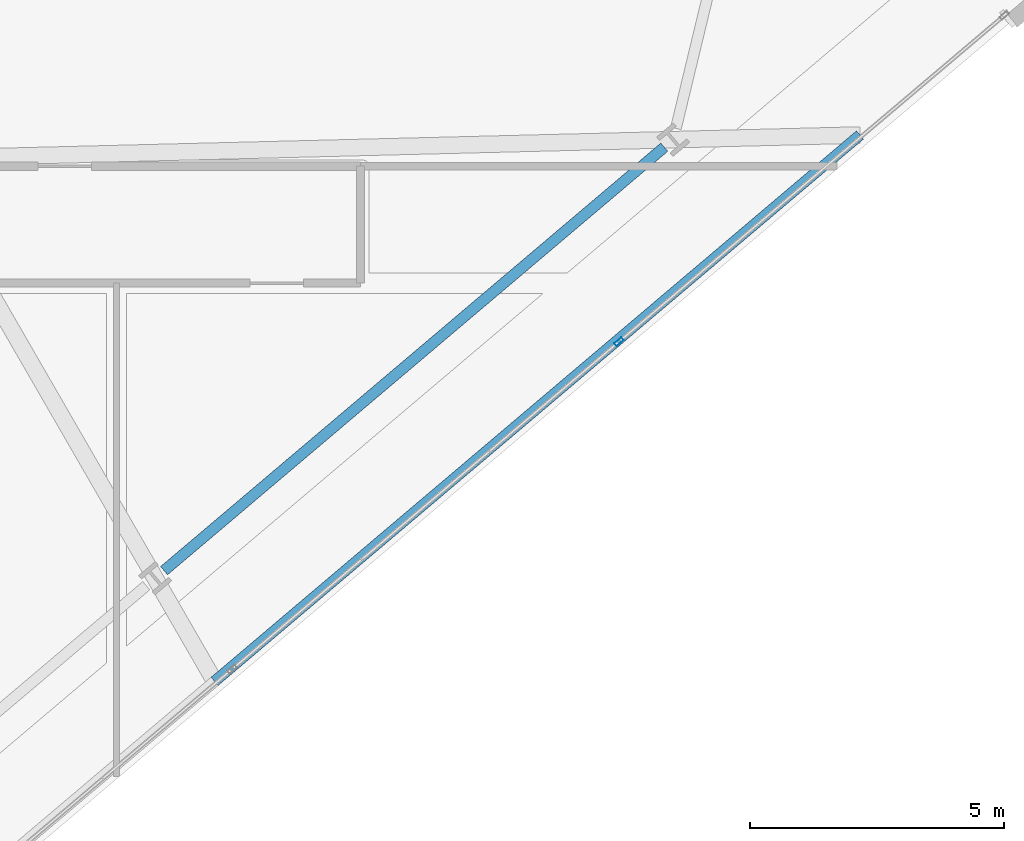
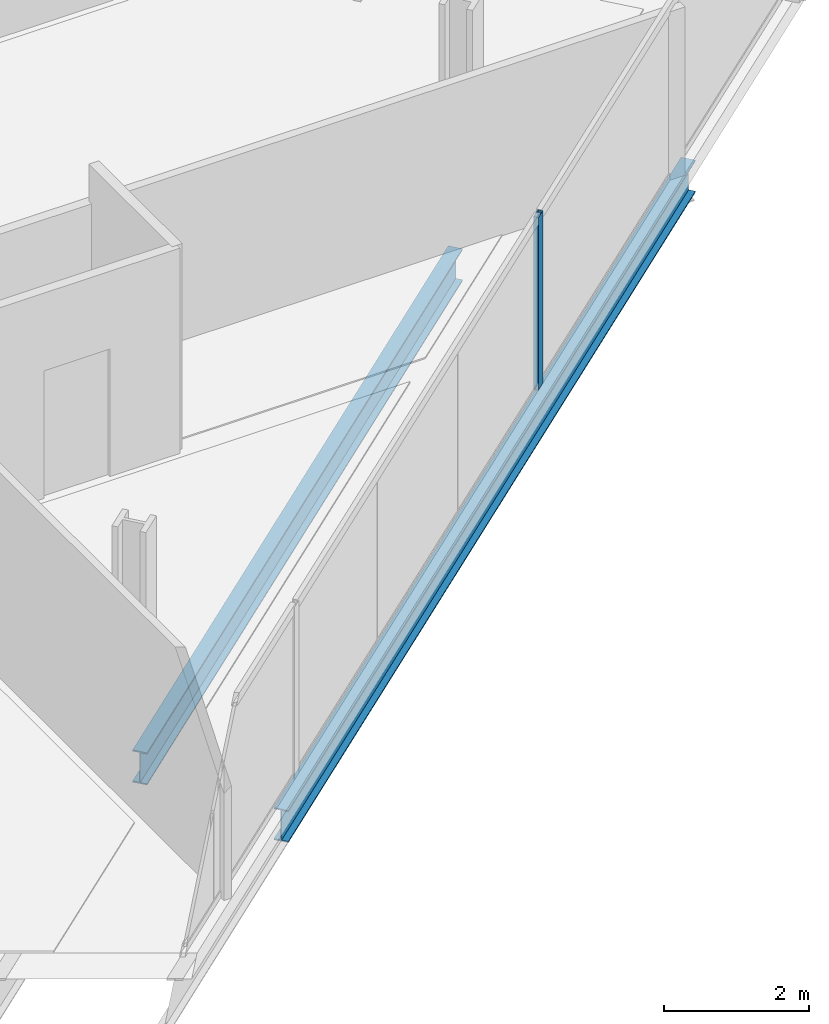
# One storey, part 11 of 34: 2 beams, 1 member, 1 element without a shape of its own.
"""IFC4 building model written with IfcOpenShell, lengths in metres."""

from ifc_helpers import new_model, si_unit, direction, frame, origin, origin_2d, place, context, subcontext, project, spatial, hollow_rectangle, i_section, extrude, material, material_profile, profile_set, type_object, element, aggregate, save


model = new_model("IFC4")

# Units and contexts
model_context = context("Model", 3, precision=1e-05, world=origin(), true_north=direction((0.0, 1.0)))
body_context = subcontext(model_context, "Body", "Model", "MODEL_VIEW")
ifc_project = project(units=[si_unit("LENGTHUNIT", "METRE"), si_unit("AREAUNIT", "SQUARE_METRE"), si_unit("VOLUMEUNIT", "CUBIC_METRE"), si_unit("PLANEANGLEUNIT", "RADIAN"), si_unit("MASSUNIT", "GRAM", prefix="KILO")], contexts=[model_context])

# Site, building, storey
site_placement = place(None, origin())
site = spatial("IfcSite", under=ifc_project, at=site_placement, CompositionType="ELEMENT")
building_placement = place(site_placement, origin())
building = spatial("IfcBuilding", under=site, at=building_placement, Name="Haldenkirk Collegiate Tower", CompositionType="ELEMENT")
storey_placement = place(building_placement, frame((0.0, 0.0, 163.199951171875)))
storey = spatial("IfcBuildingStorey", under=building, at=storey_placement, Name="L40", CompositionType="ELEMENT", Elevation=163.199951171875)

# Beams
ifc_material_1 = material(Name="Steel ASTM A992 Grade 50", Category="steel")
ifc_material_profile_1 = material_profile(ifc_material_1, i_section(OverallWidth=0.2119140625, OverallDepth=0.5439453125, WebThickness=0.01318359375, FlangeThickness=0.021240234375, at=origin_2d()), Name="W21X83")
ifc_profile_set_1 = profile_set([ifc_material_profile_1], Name="Steel ASTM A992 Grade 50")
beam_type = type_object("IfcBeamType", Name="BM-SPANDREL-W21X83", PredefinedType="SPANDREL", material=ifc_profile_set_1)
beam_1_placement = place(storey_placement, frame((49.937255859375, 9.89111328125, -0.56201171875), z_axis=(0.763233335078, 0.646122957514, 0.0), x_axis=(-0.646122957514, 0.763233335078, 0.0)))
element("IfcBeam", 1, at=beam_1_placement, inside=storey, type_object=beam_type, Name="L40 perimeter spandrel beam 03", PredefinedType="SPANDREL", context=body_context, shape_type="SweptSolid", body=[
    extrude(i_section(OverallWidth=0.2119140625, OverallDepth=0.5439453125, WebThickness=0.01318359375, FlangeThickness=0.021240234375, at=origin_2d()), origin(), (0.0, 0.0, 1.0), 12.898193359375),
])
beam_2_placement = place(storey_placement, frame((50.932861328125, 7.7138671875, -0.56201171875), z_axis=(0.763232092701, 0.64612442507, 0.0), x_axis=(-0.64612442507, 0.763232092701, 0.0)))
element("IfcBeam", 2, at=beam_2_placement, inside=storey, type_object=beam_type, Name="L40 outer facade edge beam 1B", PredefinedType="SPANDREL", context=body_context, shape_type="SweptSolid", body=[
    extrude(i_section(OverallWidth=0.2119140625, OverallDepth=0.5439453125, WebThickness=0.01318359375, FlangeThickness=0.021240234375, at=origin_2d()), origin(), (0.0, 0.0, 1.0), 16.638427734375),
])

# Curtain wall, member
ifc_material_2 = material(Name="Anodised architectural bronze aluminium", Category="aluminium")
curtain_wall_type = type_object("IfcCurtainWallType", Name="CW-SYS2-CONCAVE", PredefinedType="USERDEFINED", material=ifc_material_2)
curtain_wall_placement = place(storey_placement, origin())
curtain_wall = element("IfcCurtainWall", 3, at=curtain_wall_placement, inside=storey, type_object=curtain_wall_type, Name="L40 South concave recessed bronze-anodised curtain wall", ObjectType="UNITISED CURTAIN WALL", PredefinedType="USERDEFINED")
ifc_material_profile_2 = material_profile(ifc_material_2, hollow_rectangle(XDim=0.074951171875, YDim=0.18994140625, WallThickness=0.0048828125, at=origin_2d()), Name="CW-MUL-02")
ifc_profile_set_2 = profile_set([ifc_material_profile_2], Name="Anodised architectural bronze aluminium")
member_type = type_object("IfcMemberType", Name="CW-MUL-02", PredefinedType="MULLION", material=ifc_profile_set_2)
member_placement = place(storey_placement, frame((58.890869140625, 14.3984375, 0.0), z_axis=(0.0, 0.0, 1.0), x_axis=(0.646124454254, -0.763232067994, 0.0)))
member = element("IfcMember", 4, at=member_placement, type_object=member_type, Name="CW-02 mullion 2", PredefinedType="MULLION", context=body_context, shape_type="SweptSolid", body=[
    extrude(hollow_rectangle(XDim=0.074951171875, YDim=0.18994140625, WallThickness=0.0048828125, at=origin_2d()), origin(), (0.0, 0.0, 1.0), 2.9111328125),
])
aggregate(curtain_wall, [member])

save(model, "model.ifc")
